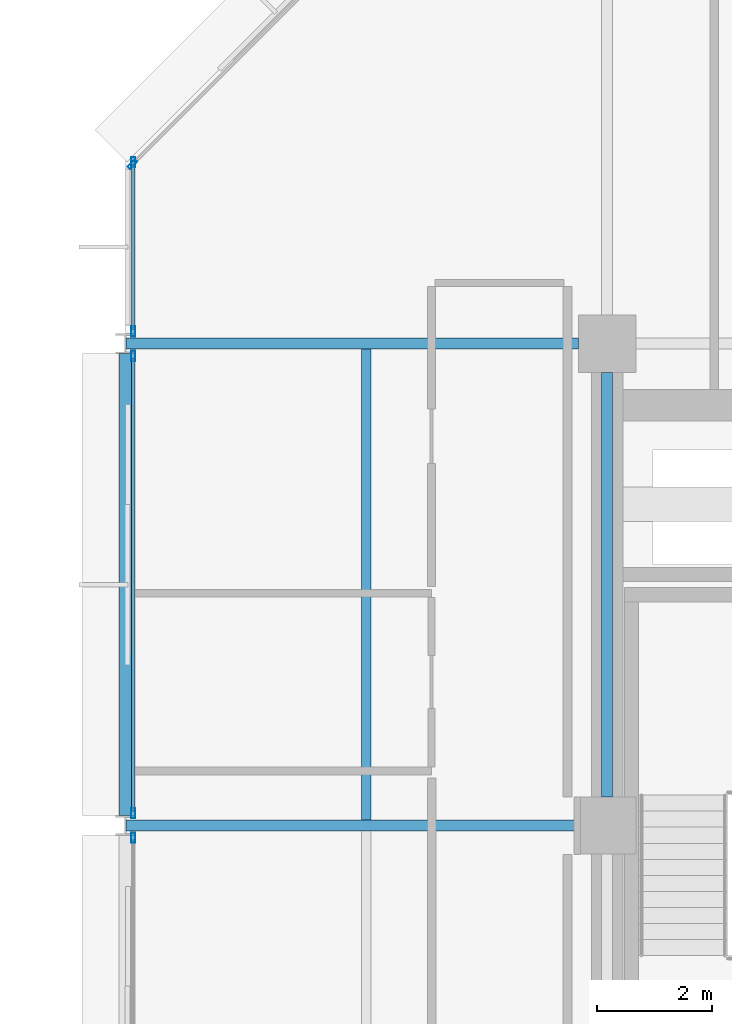
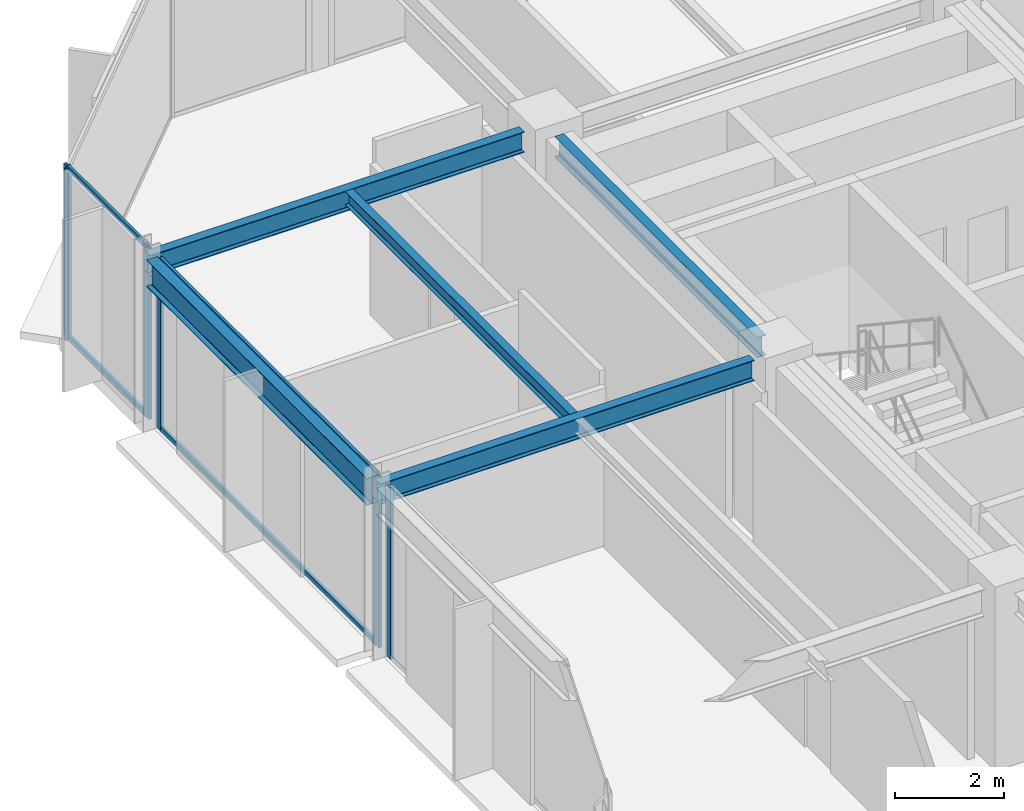
# One storey, part 17 of 30: 10 members, 5 beams, 4 elements without a shape of their own.
"""IFC4 building model written with IfcOpenShell, lengths in metres."""

from ifc_helpers import new_model, si_unit, direction, frame, origin, origin_2d, place, context, subcontext, project, spatial, hollow_rectangle, i_section, extrude, material, layer, layer_set, material_profile, profile_set, type_object, element, aggregate, save


model = new_model("IFC4")

# Units and contexts
model_context = context("Model", 3, precision=1e-05, world=origin(), true_north=direction((0.0, 1.0)))
body_context = subcontext(model_context, "Body", "Model", "MODEL_VIEW")
ifc_project = project(units=[si_unit("LENGTHUNIT", "METRE"), si_unit("AREAUNIT", "SQUARE_METRE"), si_unit("VOLUMEUNIT", "CUBIC_METRE"), si_unit("PLANEANGLEUNIT", "RADIAN"), si_unit("MASSUNIT", "GRAM", prefix="KILO")], contexts=[model_context])

# Site, building, storey
site_placement = place(None, origin())
site = spatial("IfcSite", under=ifc_project, at=site_placement, CompositionType="ELEMENT")
building_placement = place(site_placement, origin())
building = spatial("IfcBuilding", under=site, at=building_placement, Name="Nerrivon Quay Data Exchange", CompositionType="ELEMENT")
storey_placement = place(building_placement, frame((0.0, 0.0, 171.39990234375)))
storey = spatial("IfcBuildingStorey", under=building, at=storey_placement, Name="L40", CompositionType="ELEMENT", Elevation=171.39990234375)

# Beams
ifc_material_1 = material(Name="Steel Grade 350", Category="steel")
ifc_material_profile_1 = material_profile(ifc_material_1, i_section(OverallWidth=0.22802734375, OverallDepth=0.60205078125, WebThickness=0.010498046875, FlangeThickness=0.014892578125, FilletRadius=0.013916015625, at=origin_2d()), Name="610UB101")
ifc_profile_set_1 = profile_set([ifc_material_profile_1], Name="Steel Grade 350")
beam_type_1 = type_object("IfcBeamType", Name="BM-G2-610UB101", PredefinedType="BEAM", material=ifc_profile_set_1)
beam_1_placement = place(storey_placement, frame((0.0, 33.77490234375, 3.524169921875), z_axis=(0.0, 1.0, 0.0), x_axis=(-1.0, 0.0, 0.0)))
element("IfcBeam", 1, at=beam_1_placement, inside=storey, type_object=beam_type_1, Name="L40 NS Girder X=0.0 (33.6..42.0)", PredefinedType="BEAM", context=body_context, shape_type="SweptSolid", body=[
    extrude(i_section(OverallWidth=0.22802734375, OverallDepth=0.60205078125, WebThickness=0.010498046875, FlangeThickness=0.014892578125, FilletRadius=0.013916015625, at=origin_2d()), origin(), (0.0, 0.0, 1.0), 8.050048828125),
])
ifc_material_profile_2 = material_profile(ifc_material_1, i_section(OverallWidth=0.19091796875, OverallDepth=0.4599609375, WebThickness=0.010009765625, FlangeThickness=0.01611328125, FilletRadius=0.011474609375, at=origin_2d()), Name="460UB82.1")
ifc_profile_set_2 = profile_set([ifc_material_profile_2], Name="Steel Grade 350")
beam_type_2 = type_object("IfcBeamType", Name="BM-G5-460UB82", PredefinedType="BEAM", material=ifc_profile_set_2)
for number, where, z_axis, x_axis, name in (
    (2, (0.010009765625, 33.60009765625, 3.59521484375), (1.0, 0.0, 0.0), (0.0, 1.0, 0.0), "L40 EW Girder Y=33.6 (0.0..8.4)"),
    (3, (0.010009765625, 42.0, 3.59521484375), (1.0, 0.0, 0.0), (0.0, 1.0, 0.0), "L40 EW Girder Y=42.0 (0.0..8.4)"),
):
    element("IfcBeam", number, at=place(storey_placement, frame(where, z_axis=z_axis, x_axis=x_axis)), inside=storey, type_object=beam_type_2, Name=name, PredefinedType="BEAM", context=body_context, shape_type="SweptSolid", body=[
        extrude(i_section(OverallWidth=0.19091796875, OverallDepth=0.4599609375, WebThickness=0.010009765625, FlangeThickness=0.01611328125, FilletRadius=0.011474609375, at=origin_2d()), origin(), (0.0, 0.0, 1.0), 7.889892578125),
    ])
ifc_material_profile_3 = material_profile(ifc_material_1, i_section(OverallWidth=0.18994140625, OverallDepth=0.4541015625, WebThickness=0.008544921875, FlangeThickness=0.0126953125, FilletRadius=0.011474609375, at=origin_2d()), Name="460UB67.1")
ifc_profile_set_3 = profile_set([ifc_material_profile_3], Name="Steel Grade 350")
beam_type_3 = type_object("IfcBeamType", Name="BM-G6-460UB67", PredefinedType="BEAM", material=ifc_profile_set_3)
beam_2_placement = place(storey_placement, frame((8.39990234375, 34.10009765625, 3.59814453125), z_axis=(0.0, 1.0, 0.0), x_axis=(-1.0, 0.0, 0.0)))
element("IfcBeam", 4, at=beam_2_placement, inside=storey, type_object=beam_type_3, Name="L40 NS Girder X=8.4 (33.6..42.0)", PredefinedType="BEAM", context=body_context, shape_type="SweptSolid", body=[
    extrude(i_section(OverallWidth=0.18994140625, OverallDepth=0.4541015625, WebThickness=0.008544921875, FlangeThickness=0.0126953125, FilletRadius=0.011474609375, at=origin_2d()), origin(), (0.0, 0.0, 1.0), 7.39990234375),
])
ifc_material_profile_4 = material_profile(ifc_material_1, i_section(OverallWidth=0.166015625, OverallDepth=0.306884765625, WebThickness=0.006591796875, FlangeThickness=0.01171875, FilletRadius=0.011474609375, at=origin_2d()), Name="310UB46.2")
ifc_profile_set_4 = profile_set([ifc_material_profile_4], Name="Steel Grade 350")
beam_type_4 = type_object("IfcBeamType", Name="BM-J5-310UB46", PredefinedType="JOIST", material=ifc_profile_set_4)
beam_3_placement = place(storey_placement, frame((4.199951171875, 33.695556640625, 3.671630859375), z_axis=(0.0, 1.0, 0.0), x_axis=(-1.0, 0.0, 0.0)))
element("IfcBeam", 5, at=beam_3_placement, inside=storey, type_object=beam_type_4, Name="L40 Secondary Joist X=4.2 (33.6..42.0)", PredefinedType="JOIST", context=body_context, shape_type="SweptSolid", body=[
    extrude(i_section(OverallWidth=0.166015625, OverallDepth=0.306884765625, WebThickness=0.006591796875, FlangeThickness=0.01171875, FilletRadius=0.011474609375, at=origin_2d()), origin(), (0.0, 0.0, 1.0), 8.208984375),
])

# Curtain wall, member
ifc_material_2 = material(Name="Anodised aluminium 6063-T6", Category="aluminium")
ifc_layer = layer(ifc_material_2, 0.195068359375)
ifc_layer_set = layer_set([ifc_layer], Name="Anodised aluminium 6063-T6")
curtain_wall_type = type_object("IfcCurtainWallType", Name="CW-SYS-06", PredefinedType="NOTDEFINED", material=ifc_layer_set)
curtain_wall_1_placement = place(storey_placement, origin())
curtain_wall_1 = element("IfcCurtainWall", 6, at=curtain_wall_1_placement, inside=storey, type_object=curtain_wall_type, Name="L40 Unitised Curtain Wall 4", PredefinedType="NOTDEFINED")
ifc_material_profile_5 = material_profile(ifc_material_2, hollow_rectangle(XDim=0.06494140625, YDim=0.179931640625, WallThickness=0.00341796875, at=origin_2d()), Name="ALU-MULL-180x65")
ifc_profile_set_5 = profile_set([ifc_material_profile_5], Name="Anodised aluminium 6063-T6")
member_type_1 = type_object("IfcMemberType", Name="CWM-180x65", PredefinedType="MULLION", material=ifc_profile_set_5)
member_1_placement = place(storey_placement, frame((0.139892578125, 33.387451171875, 0.0), z_axis=(0.0, 0.0, 1.0), x_axis=(-1.0, 0.0, 0.0)))
member_1 = element("IfcMember", 7, at=member_1_placement, type_object=member_type_1, Name="CW06 mullion 2", PredefinedType="MULLION", context=body_context, shape_type="SweptSolid", body=[
    extrude(hollow_rectangle(XDim=0.06494140625, YDim=0.179931640625, WallThickness=0.00341796875, at=origin_2d()), origin(), (0.0, 0.0, 1.0), 3.8251953125),
])
aggregate(curtain_wall_1, [member_1])

# Curtain wall, members
curtain_wall_2_placement = place(storey_placement, origin())
curtain_wall_2 = element("IfcCurtainWall", 8, at=curtain_wall_2_placement, inside=storey, type_object=curtain_wall_type, Name="L40 Unitised Curtain Wall 5", PredefinedType="NOTDEFINED")
member_2_placement = place(storey_placement, frame((0.139892578125, 33.8125, 0.0), z_axis=(0.0, 0.0, 1.0), x_axis=(-1.0, 0.0, 0.0)))
member_2 = element("IfcMember", 9, at=member_2_placement, type_object=member_type_1, Name="CW06 mullion 1", PredefinedType="MULLION", context=body_context, shape_type="SweptSolid", body=[
    extrude(hollow_rectangle(XDim=0.06494140625, YDim=0.179931640625, WallThickness=0.00341796875, at=origin_2d()), origin(), (0.0, 0.0, 1.0), 3.8251953125),
])
member_3_placement = place(storey_placement, frame((0.139892578125, 41.78759765625, 0.0), z_axis=(0.0, 0.0, 1.0), x_axis=(-1.0, 0.0, 0.0)))
member_3 = element("IfcMember", 10, at=member_3_placement, type_object=member_type_1, Name="CW06 mullion 2", PredefinedType="MULLION", context=body_context, shape_type="SweptSolid", body=[
    extrude(hollow_rectangle(XDim=0.06494140625, YDim=0.179931640625, WallThickness=0.00341796875, at=origin_2d()), origin(), (0.0, 0.0, 1.0), 3.8251953125),
])

curtain_wall_3_placement = place(storey_placement, origin())
curtain_wall_3 = element("IfcCurtainWall", 11, at=curtain_wall_3_placement, inside=storey, type_object=curtain_wall_type, Name="L40 Unitised Curtain Wall 6", PredefinedType="NOTDEFINED")
member_4_placement = place(storey_placement, frame((0.139892578125, 42.21240234375, 0.0), z_axis=(0.0, 0.0, 1.0), x_axis=(-1.0, 0.0, 0.0)))
member_4 = element("IfcMember", 12, at=member_4_placement, type_object=member_type_1, Name="CW06 mullion 1", PredefinedType="MULLION", context=body_context, shape_type="SweptSolid", body=[
    extrude(hollow_rectangle(XDim=0.06494140625, YDim=0.179931640625, WallThickness=0.00341796875, at=origin_2d()), origin(), (0.0, 0.0, 1.0), 3.8251953125),
])
member_5_placement = place(storey_placement, frame((0.139892578125, 45.16259765625, 0.0), z_axis=(0.0, 0.0, 1.0), x_axis=(-1.0, 0.0, 0.0)))
member_5 = element("IfcMember", 13, at=member_5_placement, type_object=member_type_1, Name="CW06 mullion 2", PredefinedType="MULLION", context=body_context, shape_type="SweptSolid", body=[
    extrude(hollow_rectangle(XDim=0.06494140625, YDim=0.179931640625, WallThickness=0.00341796875, at=origin_2d()), origin(), (0.0, 0.0, 1.0), 3.8251953125),
])

# Curtain wall, member
curtain_wall_4_placement = place(storey_placement, origin())
curtain_wall_4 = element("IfcCurtainWall", 14, at=curtain_wall_4_placement, inside=storey, type_object=curtain_wall_type, Name="L40 Unitised Curtain Wall 7", PredefinedType="NOTDEFINED")
member_6_placement = place(storey_placement, frame((0.12548828125, 45.12744140625, 0.0), z_axis=(0.0, 0.0, 1.0), x_axis=(-0.707106781187, 0.707106781187, 0.0)))
member_6 = element("IfcMember", 15, at=member_6_placement, type_object=member_type_1, Name="CW06 mullion 1", PredefinedType="MULLION", context=body_context, shape_type="SweptSolid", body=[
    extrude(hollow_rectangle(XDim=0.06494140625, YDim=0.179931640625, WallThickness=0.00341796875, at=origin_2d()), origin(), (0.0, 0.0, 1.0), 3.8251953125),
])
aggregate(curtain_wall_4, [member_6])

# Member
ifc_material_profile_6 = material_profile(ifc_material_2, hollow_rectangle(XDim=0.06005859375, YDim=0.1201171875, WallThickness=0.003173828125, at=origin_2d()), Name="ALU-TRAN-120x60")
ifc_profile_set_6 = profile_set([ifc_material_profile_6], Name="Anodised aluminium 6063-T6")
member_type_2 = type_object("IfcMemberType", Name="CWT-120x60", PredefinedType="USERDEFINED", material=ifc_profile_set_6)
member_7_placement = place(storey_placement, frame((0.139892578125, 33.85009765625, 0.03271484375), z_axis=(0.0, 1.0, 0.0), x_axis=(-1.0, 0.0, 0.0)))
member_7 = element("IfcMember", 16, at=member_7_placement, type_object=member_type_2, Name="CW06 transom 1.1", ObjectType="TRANSOM", PredefinedType="USERDEFINED", context=body_context, shape_type="SweptSolid", body=[
    extrude(hollow_rectangle(XDim=0.06005859375, YDim=0.1201171875, WallThickness=0.003173828125, at=origin_2d()), origin(), (0.0, 0.0, 1.0), 7.89990234375),
])

member_8_placement = place(storey_placement, frame((0.139892578125, 33.85009765625, 3.79248046875), z_axis=(0.0, 1.0, 0.0), x_axis=(-1.0, 0.0, 0.0)))
member_8 = element("IfcMember", 17, at=member_8_placement, type_object=member_type_2, Name="CW06 transom 1.2", ObjectType="TRANSOM", PredefinedType="USERDEFINED", context=body_context, shape_type="SweptSolid", body=[
    extrude(hollow_rectangle(XDim=0.06005859375, YDim=0.1201171875, WallThickness=0.003173828125, at=origin_2d()), origin(), (0.0, 0.0, 1.0), 7.89990234375),
])

aggregate(curtain_wall_2, [member_2, member_3, member_7, member_8])

member_9_placement = place(storey_placement, frame((0.139892578125, 42.25, 0.03271484375), z_axis=(0.0, 1.0, 0.0), x_axis=(-1.0, 0.0, 0.0)))
member_9 = element("IfcMember", 18, at=member_9_placement, type_object=member_type_2, Name="CW06 transom 1.1", ObjectType="TRANSOM", PredefinedType="USERDEFINED", context=body_context, shape_type="SweptSolid", body=[
    extrude(hollow_rectangle(XDim=0.06005859375, YDim=0.1201171875, WallThickness=0.003173828125, at=origin_2d()), origin(), (0.0, 0.0, 1.0), 2.875),
])

member_10_placement = place(storey_placement, frame((0.139892578125, 42.25, 3.79248046875), z_axis=(0.0, 1.0, 0.0), x_axis=(-1.0, 0.0, 0.0)))
member_10 = element("IfcMember", 19, at=member_10_placement, type_object=member_type_2, Name="CW06 transom 1.2", ObjectType="TRANSOM", PredefinedType="USERDEFINED", context=body_context, shape_type="SweptSolid", body=[
    extrude(hollow_rectangle(XDim=0.06005859375, YDim=0.1201171875, WallThickness=0.003173828125, at=origin_2d()), origin(), (0.0, 0.0, 1.0), 2.875),
])

aggregate(curtain_wall_3, [member_4, member_5, member_9, member_10])

save(model, "model.ifc")
